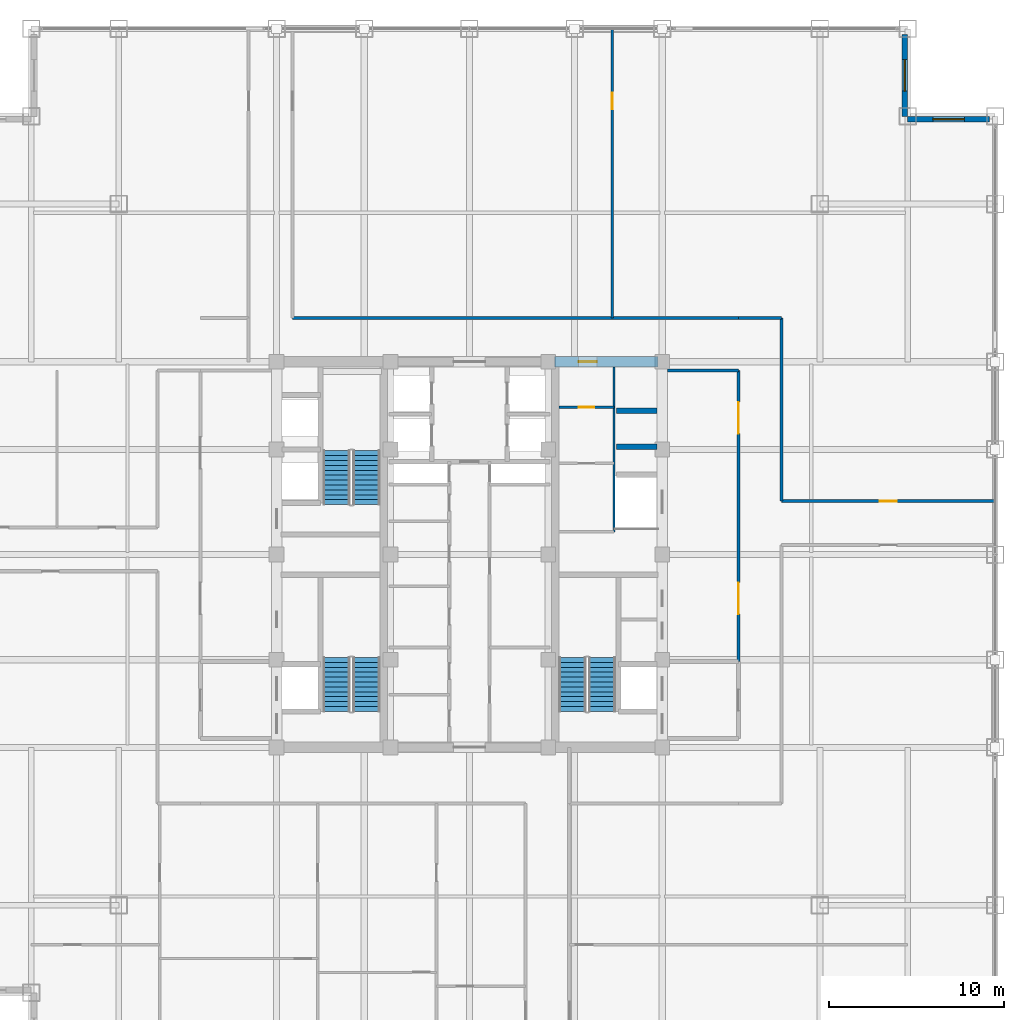
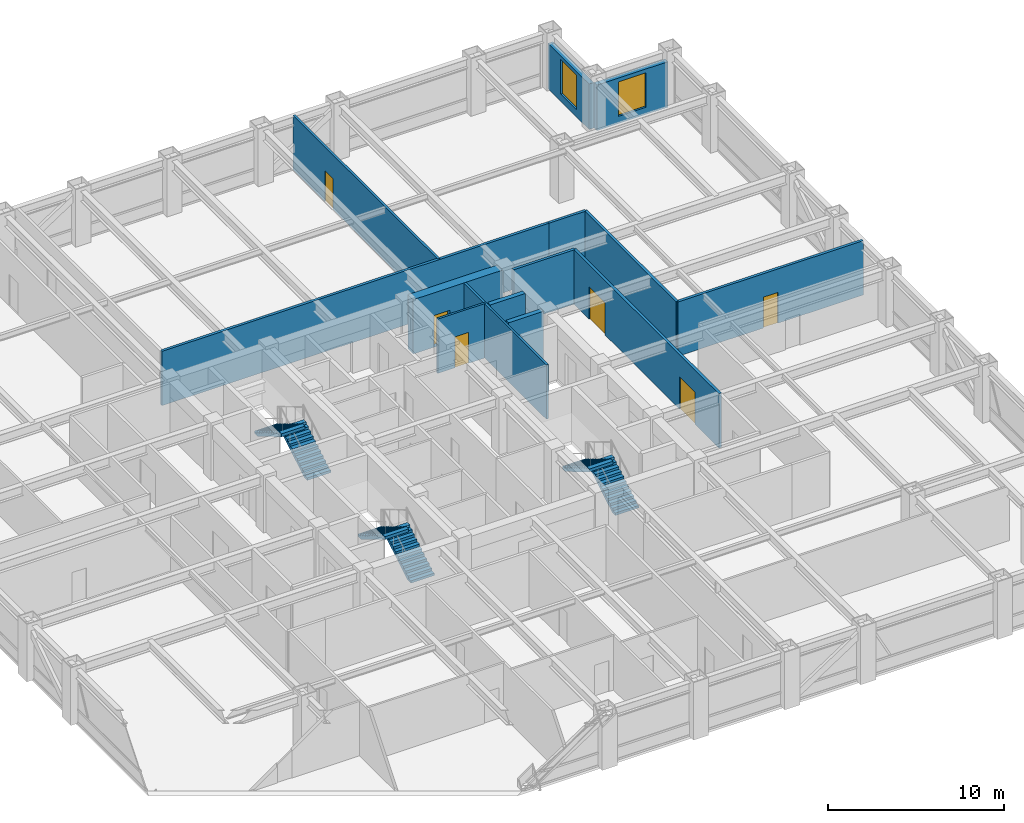
# One storey, part 23 of 24: 14 walls, 6 doors, 6 stair flights, 2 windows, 8 openings, 3 elements without a shape of their own.
"""IFC4 building model written with IfcOpenShell, lengths in metres."""

from ifc_helpers import new_model, si_unit, direction, frame, frame_2d, origin, place, context, subcontext, project, spatial, polyline, rectangle, outline, extrude, source, transform, mapped, material, layer, layer_set, type_object, element, fill, aggregate, save


model = new_model("IFC4")

# Units and contexts
model_context = context("Model", 3, precision=1e-05, world=origin(), true_north=direction((0.0, 1.0)))
body_context = subcontext(model_context, "Body", "Model", "MODEL_VIEW")
ifc_project = project(units=[si_unit("LENGTHUNIT", "METRE"), si_unit("AREAUNIT", "SQUARE_METRE"), si_unit("VOLUMEUNIT", "CUBIC_METRE"), si_unit("PLANEANGLEUNIT", "RADIAN"), si_unit("MASSUNIT", "GRAM", prefix="KILO")], contexts=[model_context])

# Site, building, storey
site_placement = place(None, origin())
site = spatial("IfcSite", under=ifc_project, at=site_placement, CompositionType="ELEMENT")
building_placement = place(site_placement, origin())
building = spatial("IfcBuilding", under=site, at=building_placement, Name="Khorayat Bourse Tower", CompositionType="ELEMENT")
storey_placement = place(building_placement, frame((0.0, 0.0, 211.10009765625)))
storey = spatial("IfcBuildingStorey", under=building, at=storey_placement, Name="L49", CompositionType="ELEMENT", Elevation=211.10009765625)

# Wall, opening, door
ifc_material_1 = material(Name="Concrete C60/75", Category="concrete")
ifc_layer_1 = layer(ifc_material_1, 0.60009765625)
ifc_layer_set_1 = layer_set([ifc_layer_1], Name="Concrete C60/75")
wall_type_1 = type_object("IfcWallType", Name="WAL-CORE-600", PredefinedType="SHEAR", material=ifc_layer_set_1)
shared_shape_1 = source(origin(), body_context, "Body", "SweptSolid", [
    extrude(rectangle(XDim=5.89990234375, YDim=0.60009765625, at=frame_2d((2.949951171875, 0.0))), origin(), (0.0, 0.0, 1.0), 3.77978515625),
])
wall_1_placement = place(storey_placement, frame((4.85009765625, 11.0, 0.0), z_axis=(0.0, 0.0, 1.0), x_axis=(1.0, 0.0, 0.0)))
wall_1 = element("IfcWall", 1, at=wall_1_placement, inside=storey, type_object=wall_type_1, Name="L49 Core Shear Wall PIER-EN", PredefinedType="SHEAR", context=body_context, shape_type="MappedRepresentation", body=[
    mapped(shared_shape_1, transform((0.0, 0.0, 0.0), scale=1.0)),
])
shared_shape_2 = source(origin(), body_context, "Body", "SweptSolid", [
    extrude(rectangle(XDim=1.050048828125, YDim=2.199951171875, at=frame_2d((0.52490234375, 1.10009765625))), frame((0.0, 0.31005859375, 0.0), z_axis=(0.0, -1.0, 0.0), x_axis=(1.0, 0.0, 0.0)), (0.0, 0.0, 1.0), 0.6201171875),
])
opening_1_placement = place(wall_1_placement, frame((1.375, 0.0, 0.0)))
opening_1 = element("IfcOpeningElement", 2, at=opening_1_placement, cuts=wall_1, Name="Opening DI-04", PredefinedType="OPENING", context=body_context, shape_type="MappedRepresentation", body=[
    mapped(shared_shape_2, transform((0.0, 0.0, 0.0), scale=1.0)),
])
ifc_material_2 = material(Name="Fire-rated oak veneer suite entrance door")
door_type_1 = type_object("IfcDoorType", Name="DR-INT-SUITE-1050", OperationType="NOTDEFINED", PredefinedType="DOOR", material=ifc_material_2)
shared_shape_3 = source(origin(), body_context, "Body", "SweptSolid", [
    extrude(rectangle(XDim=1.050048828125, YDim=2.199951171875, at=frame_2d((0.52490234375, 1.10009765625))), frame((0.0, 0.02490234375, 0.0), z_axis=(0.0, -1.0, 0.0), x_axis=(1.0, 0.0, 0.0)), (0.0, 0.0, 1.0), 0.050048828125),
])
door_1_placement = place(opening_1_placement, origin())
door_1 = element("IfcDoor", 3, at=door_1_placement, inside=storey, type_object=door_type_1, Name="L49 Core Washroom Lobby Door", OperationType="SINGLE_SWING_LEFT", OverallHeight=2.199951171875, OverallWidth=1.050048828125, PredefinedType="DOOR", context=body_context, shape_type="MappedRepresentation", body=[
    mapped(shared_shape_3, transform((0.0, 0.0, 0.0), scale=1.0)),
])
fill(opening_1, door_1)

# Wall, opening, window
ifc_material_3 = material(Name="Precast concrete C45/55", Category="concrete")
ifc_layer_2 = layer(ifc_material_3, 0.320068359375)
ifc_layer_set_2 = layer_set([ifc_layer_2], Name="Precast concrete C45/55")
wall_type_2 = type_object("IfcWallType", Name="WAL-EXT-STONE-320", PredefinedType="STANDARD", material=ifc_layer_set_2)
shared_shape_4 = source(origin(), body_context, "Body", "SweptSolid", [
    extrude(rectangle(XDim=4.679931640625, YDim=0.320068359375, at=frame_2d((2.33984375, 0.0))), origin(), (0.0, 0.0, 1.0), 3.163818359375),
])
wall_2_placement = place(storey_placement, frame((25.0, 24.840087890625, 0.0), z_axis=(0.0, 0.0, 1.0), x_axis=(1.0, 0.0, 0.0)))
wall_2 = element("IfcWall", 4, at=wall_2_placement, inside=storey, type_object=wall_type_2, Name="L49 Re-Entrant Notch Limestone Wall NE-H", PredefinedType="STANDARD", context=body_context, shape_type="MappedRepresentation", body=[
    mapped(shared_shape_4, transform((0.0, 0.0, 0.0), scale=1.0)),
])
shared_shape_5 = source(origin(), body_context, "Body", "SweptSolid", [
    extrude(rectangle(XDim=1.800048828125, YDim=2.39990234375, at=frame_2d((0.89990234375, 1.199951171875))), frame((0.0, 0.169921875, 0.0), z_axis=(0.0, -1.0, 0.0), x_axis=(1.0, 0.0, 0.0)), (0.0, 0.0, 1.0), 0.340087890625),
])
opening_2_placement = place(wall_2_placement, frame((1.43994140625, 0.0, 0.5)))
opening_2 = element("IfcOpeningElement", 5, at=opening_2_placement, cuts=wall_2, Name="Opening WN-04", PredefinedType="OPENING", context=body_context, shape_type="MappedRepresentation", body=[
    mapped(shared_shape_5, transform((0.0, 0.0, 0.0), scale=1.0)),
])
ifc_material_4 = material(Name="Low-E acoustic laminated double glazing", Category="glass")
window_type = type_object("IfcWindowType", Name="WIN-NOTCH-1800x2400", PartitioningType="SINGLE_PANEL", PredefinedType="WINDOW", material=ifc_material_4)
shared_shape_6 = source(origin(), body_context, "Body", "SweptSolid", [
    extrude(rectangle(XDim=1.800048828125, YDim=2.39990234375, at=frame_2d((0.89990234375, 1.199951171875))), frame((0.0, 0.030029296875, 0.0), z_axis=(0.0, -1.0, 0.0), x_axis=(1.0, 0.0, 0.0)), (0.0, 0.0, 1.0), 0.06005859375),
])
window_1_placement = place(opening_2_placement, origin())
window_1 = element("IfcWindow", 6, at=window_1_placement, inside=storey, type_object=window_type, Name="L49 Facade Window 1", OverallHeight=2.39990234375, OverallWidth=1.800048828125, PartitioningType="SINGLE_PANEL", PredefinedType="WINDOW", context=body_context, shape_type="MappedRepresentation", body=[
    mapped(shared_shape_6, transform((0.0, 0.0, 0.0), scale=1.0)),
])
fill(opening_2, window_1)

wall_3_placement = place(storey_placement, frame((24.840087890625, 25.0, 0.0), z_axis=(0.0, 0.0, 1.0), x_axis=(0.0, 1.0, 0.0)))
wall_3 = element("IfcWall", 7, at=wall_3_placement, inside=storey, type_object=wall_type_2, Name="L49 Re-Entrant Notch Limestone Wall NE-V", PredefinedType="STANDARD", context=body_context, shape_type="MappedRepresentation", body=[
    mapped(shared_shape_4, transform((0.0, 0.0, 0.0), scale=1.0)),
])
opening_3_placement = place(wall_3_placement, frame((1.43994140625, 0.0, 0.5)))
opening_3 = element("IfcOpeningElement", 8, at=opening_3_placement, cuts=wall_3, Name="Opening WN-04", PredefinedType="OPENING", context=body_context, shape_type="MappedRepresentation", body=[
    mapped(shared_shape_5, transform((0.0, 0.0, 0.0), scale=1.0)),
])
window_2_placement = place(opening_3_placement, origin())
window_2 = element("IfcWindow", 9, at=window_2_placement, inside=storey, type_object=window_type, Name="L49 Facade Window 1", OverallHeight=2.39990234375, OverallWidth=1.800048828125, PartitioningType="SINGLE_PANEL", PredefinedType="WINDOW", context=body_context, shape_type="MappedRepresentation", body=[
    mapped(shared_shape_6, transform((0.0, 0.0, 0.0), scale=1.0)),
])
fill(opening_3, window_2)

# Walls
ifc_material_5 = material(Name="Concrete C50/60", Category="concrete")
ifc_layer_3 = layer(ifc_material_5, 0.300048828125)
ifc_layer_set_3 = layer_set([ifc_layer_3], Name="Concrete C50/60")
wall_type_3 = type_object("IfcWallType", Name="WAL-SHAFT-300", PredefinedType="SHEAR", material=ifc_layer_set_3)
shared_shape_7 = source(origin(), body_context, "Body", "SweptSolid", [
    extrude(rectangle(XDim=2.300048828125, YDim=0.300048828125, at=frame_2d((1.14990234375, 0.0))), origin(), (0.0, 0.0, 1.0), 3.77978515625),
])
for number, where, z_axis, x_axis, name in (
    (10, (8.39990234375, 6.14990234375, 0.0), (0.0, 0.0, 1.0), (1.0, 0.0, 0.0), "L49 Partition WAL-L49-EPIER-H3S"),
    (11, (8.39990234375, 8.199951171875, 0.0), (0.0, 0.0, 1.0), (1.0, 0.0, 0.0), "L49 Partition WAL-L49-EPIER-H34"),
):
    element("IfcWall", number, at=place(storey_placement, frame(where, z_axis=z_axis, x_axis=x_axis)), inside=storey, type_object=wall_type_3, Name=name, PredefinedType="SHEAR", context=body_context, shape_type="MappedRepresentation", body=[
        mapped(shared_shape_7, transform((0.0, 0.0, 0.0), scale=1.0)),
    ])
ifc_material_6 = material(Name="Moisture-resistant masonry partition", Category="masonry")
ifc_layer_4 = layer(ifc_material_6, 0.139892578125)
ifc_layer_set_4 = layer_set([ifc_layer_4], Name="Moisture-resistant masonry partition")
wall_type_4 = type_object("IfcWallType", Name="WAL-PART-WET-140", PredefinedType="PARTITIONING", material=ifc_layer_set_4)
shared_shape_8 = source(origin(), body_context, "Body", "SweptSolid", [
    extrude(rectangle(XDim=9.39990234375, YDim=0.139892578125, at=frame_2d((4.699951171875, 0.0))), origin(), (0.0, 0.0, 1.0), 3.77978515625),
])
wall_4_placement = place(storey_placement, frame((8.25, 1.300048828125, 0.0), z_axis=(0.0, 0.0, 1.0), x_axis=(0.0, 1.0, 0.0)))
element("IfcWall", 12, at=wall_4_placement, inside=storey, type_object=wall_type_4, Name="L49 Partition WAL-L49-ECORE-E", PredefinedType="PARTITIONING", context=body_context, shape_type="MappedRepresentation", body=[
    mapped(shared_shape_8, transform((0.0, 0.0, 0.0), scale=1.0)),
])

# Wall, opening, door
shared_shape_9 = source(origin(), body_context, "Body", "SweptSolid", [
    extrude(rectangle(XDim=3.14990234375, YDim=0.139892578125, at=frame_2d((1.574951171875, 0.0))), origin(), (0.0, 0.0, 1.0), 3.77978515625),
])
wall_5_placement = place(storey_placement, frame((5.10009765625, 8.39990234375, 0.0), z_axis=(0.0, 0.0, 1.0), x_axis=(1.0, 0.0, 0.0)))
wall_5 = element("IfcWall", 13, at=wall_5_placement, inside=storey, type_object=wall_type_4, Name="L49 Partition WAL-L49-ECW-TOP", PredefinedType="PARTITIONING", context=body_context, shape_type="MappedRepresentation", body=[
    mapped(shared_shape_9, transform((0.0, 0.0, 0.0), scale=1.0)),
])
shared_shape_10 = source(origin(), body_context, "Body", "SweptSolid", [
    extrude(rectangle(XDim=0.89990234375, YDim=2.14990234375, at=frame_2d((0.449951171875, 1.074951171875))), frame((0.0, 0.079833984375, 0.0), z_axis=(0.0, -1.0, 0.0), x_axis=(1.0, 0.0, 0.0)), (0.0, 0.0, 1.0), 0.159912109375),
])
opening_4_placement = place(wall_5_placement, frame((1.1298828125, 0.0, 0.0)))
opening_4 = element("IfcOpeningElement", 14, at=opening_4_placement, cuts=wall_5, Name="Opening DI-06", PredefinedType="OPENING", context=body_context, shape_type="MappedRepresentation", body=[
    mapped(shared_shape_10, transform((0.0, 0.0, 0.0), scale=1.0)),
])
ifc_material_7 = material(Name="Moisture-resistant laminate washroom door")
door_type_2 = type_object("IfcDoorType", Name="DR-INT-WC-900", OperationType="NOTDEFINED", PredefinedType="DOOR", material=ifc_material_7)
shared_shape_11 = source(origin(), body_context, "Body", "SweptSolid", [
    extrude(rectangle(XDim=0.89990234375, YDim=2.14990234375, at=frame_2d((0.449951171875, 1.074951171875))), frame((0.0, 0.02490234375, 0.0), z_axis=(0.0, -1.0, 0.0), x_axis=(1.0, 0.0, 0.0)), (0.0, 0.0, 1.0), 0.050048828125),
])
door_2_placement = place(opening_4_placement, origin())
door_2 = element("IfcDoor", 15, at=door_2_placement, inside=storey, type_object=door_type_2, Name="L49 Accessible WC Door", OperationType="SINGLE_SWING_LEFT", OverallHeight=2.14990234375, OverallWidth=0.89990234375, PredefinedType="DOOR", context=body_context, shape_type="MappedRepresentation", body=[
    mapped(shared_shape_11, transform((0.0, 0.0, 0.0), scale=1.0)),
])
fill(opening_4, door_2)

# Wall
ifc_material_8 = material(Name="Gypsum plasterboard acoustic stud wall")
ifc_layer_5 = layer(ifc_material_8, 0.179931640625)
ifc_layer_set_5 = layer_set([ifc_layer_5], Name="Gypsum plasterboard acoustic stud wall")
wall_type_5 = type_object("IfcWallType", Name="WAL-PART-CORR-180", PredefinedType="PARTITIONING", material=ifc_layer_set_5)
shared_shape_12 = source(origin(), body_context, "Body", "SweptSolid", [
    extrude(rectangle(XDim=4.050048828125, YDim=0.179931640625, at=frame_2d((2.02490234375, 0.0))), origin(), (0.0, 0.0, 1.0), 3.77978515625),
])
wall_6_placement = place(storey_placement, frame((11.300048828125, 10.5, 0.0), z_axis=(0.0, 0.0, 1.0), x_axis=(1.0, 0.0, 0.0)))
element("IfcWall", 16, at=wall_6_placement, inside=storey, type_object=wall_type_5, Name="L49 Partition WAL-L49-ELOB-N", PredefinedType="PARTITIONING", context=body_context, shape_type="MappedRepresentation", body=[
    mapped(shared_shape_12, transform((0.0, 0.0, 0.0), scale=1.0)),
])

# Wall, openings, doors
shared_shape_13 = source(origin(), body_context, "Body", "SweptSolid", [
    extrude(rectangle(XDim=16.60009765625, YDim=0.179931640625, at=frame_2d((8.300048828125, 0.0))), origin(), (0.0, 0.0, 1.0), 3.77978515625),
])
wall_7_placement = place(storey_placement, frame((15.35009765625, -6.10009765625, 0.0), z_axis=(0.0, 0.0, 1.0), x_axis=(0.0, 1.0, 0.0)))
wall_7 = element("IfcWall", 17, at=wall_7_placement, inside=storey, type_object=wall_type_5, Name="L49 Partition WAL-L49-ELOB-E", PredefinedType="PARTITIONING", context=body_context, shape_type="MappedRepresentation", body=[
    mapped(shared_shape_13, transform((0.0, 0.0, 0.0), scale=1.0)),
])
shared_shape_14 = source(origin(), body_context, "Body", "SweptSolid", [
    extrude(rectangle(XDim=1.800048828125, YDim=2.25, at=frame_2d((0.89990234375, 1.125))), frame((0.0, 0.099853515625, 0.0), z_axis=(0.0, -1.0, 0.0), x_axis=(1.0, 0.0, 0.0)), (0.0, 0.0, 1.0), 0.199951171875),
])
opening_5_placement = place(wall_7_placement, frame((2.699951171875, 0.0, 0.0)))
opening_5 = element("IfcOpeningElement", 18, at=opening_5_placement, cuts=wall_7, Name="Opening DI-03", PredefinedType="OPENING", context=body_context, shape_type="MappedRepresentation", body=[
    mapped(shared_shape_14, transform((0.0, 0.0, 0.0), scale=1.0)),
])
opening_6_placement = place(wall_7_placement, frame((13.0, 0.0, 0.0)))
opening_6 = element("IfcOpeningElement", 19, at=opening_6_placement, cuts=wall_7, Name="Opening DI-03", PredefinedType="OPENING", context=body_context, shape_type="MappedRepresentation", body=[
    mapped(shared_shape_14, transform((0.0, 0.0, 0.0), scale=1.0)),
])
ifc_material_9 = material(Name="Fire-rated hardwood vision-panel double leaf", Category="wood")
door_type_3 = type_object("IfcDoorType", Name="DR-INT-CORR-1800", OperationType="NOTDEFINED", PredefinedType="DOOR", material=ifc_material_9)
shared_shape_15 = source(origin(), body_context, "Body", "SweptSolid", [
    extrude(rectangle(XDim=1.800048828125, YDim=2.25, at=frame_2d((0.89990234375, 1.125))), frame((0.0, 0.02490234375, 0.0), z_axis=(0.0, -1.0, 0.0), x_axis=(1.0, 0.0, 0.0)), (0.0, 0.0, 1.0), 0.050048828125),
])
door_3_placement = place(opening_5_placement, origin())
door_3 = element("IfcDoor", 20, at=door_3_placement, inside=storey, type_object=door_type_3, Name="L49 East Core Lobby South Door", OperationType="SINGLE_SWING_RIGHT", OverallHeight=2.25, OverallWidth=1.800048828125, PredefinedType="DOOR", context=body_context, shape_type="MappedRepresentation", body=[
    mapped(shared_shape_15, transform((0.0, 0.0, 0.0), scale=1.0)),
])
fill(opening_5, door_3)
door_4_placement = place(opening_6_placement, origin())
door_4 = element("IfcDoor", 21, at=door_4_placement, inside=storey, type_object=door_type_3, Name="L49 East Core Lobby North Door", OperationType="SINGLE_SWING_LEFT", OverallHeight=2.25, OverallWidth=1.800048828125, PredefinedType="DOOR", context=body_context, shape_type="MappedRepresentation", body=[
    mapped(shared_shape_15, transform((0.0, 0.0, 0.0), scale=1.0)),
])
fill(opening_6, door_4)

# Wall
shared_shape_16 = source(origin(), body_context, "Body", "SweptSolid", [
    extrude(rectangle(XDim=2.449951171875, YDim=0.179931640625, at=frame_2d((1.22509765625, 0.0))), origin(), (0.0, 0.0, 1.0), 3.77978515625),
])
wall_8_placement = place(storey_placement, frame((15.35009765625, 13.5, 0.0), z_axis=(0.0, 0.0, 1.0), x_axis=(1.0, 0.0, 0.0)))
element("IfcWall", 22, at=wall_8_placement, inside=storey, type_object=wall_type_5, Name="L49 Partition WAL-L49-C2-EN", PredefinedType="PARTITIONING", context=body_context, shape_type="MappedRepresentation", body=[
    mapped(shared_shape_16, transform((0.0, 0.0, 0.0), scale=1.0)),
])

# Wall, opening, door
ifc_material_10 = material(Name="Gypsum plasterboard twin-frame partition")
ifc_layer_6 = layer(ifc_material_10, 0.14990234375)
ifc_layer_set_6 = layer_set([ifc_layer_6], Name="Gypsum plasterboard twin-frame partition")
wall_type_6 = type_object("IfcWallType", Name="WAL-PART-SUITE-150", PredefinedType="PARTITIONING", material=ifc_layer_set_6)
shared_shape_17 = source(origin(), body_context, "Body", "SweptSolid", [
    extrude(rectangle(XDim=16.5, YDim=0.14990234375, at=frame_2d((8.25, 0.0))), origin(), (0.0, 0.0, 1.0), 3.77978515625),
])
wall_9_placement = place(storey_placement, frame((8.152099609375, 13.5, 0.0), z_axis=(0.0, 0.0, 1.0), x_axis=(0.0, 1.0, 0.0)))
wall_9 = element("IfcWall", 23, at=wall_9_placement, inside=storey, type_object=wall_type_6, Name="L49 Partition WAL-L49-QNEDV-1", PredefinedType="PARTITIONING", context=body_context, shape_type="MappedRepresentation", body=[
    mapped(shared_shape_17, transform((0.0, 0.0, 0.0), scale=1.0)),
])
shared_shape_18 = source(origin(), body_context, "Body", "SweptSolid", [
    extrude(rectangle(XDim=0.949951171875, YDim=2.14990234375, at=frame_2d((0.47509765625, 1.074951171875))), frame((0.0, 0.0849609375, 0.0), z_axis=(0.0, -1.0, 0.0), x_axis=(1.0, 0.0, 0.0)), (0.0, 0.0, 1.0), 0.169921875),
])
opening_7_placement = place(wall_9_placement, frame((11.89990234375, 0.0, 0.0)))
opening_7 = element("IfcOpeningElement", 24, at=opening_7_placement, cuts=wall_9, Name="Opening DI-05", PredefinedType="OPENING", context=body_context, shape_type="MappedRepresentation", body=[
    mapped(shared_shape_18, transform((0.0, 0.0, 0.0), scale=1.0)),
])
ifc_material_11 = material(Name="Acoustic oak veneer office door")
door_type_4 = type_object("IfcDoorType", Name="DR-INT-OFFICE-950", OperationType="NOTDEFINED", PredefinedType="DOOR", material=ifc_material_11)
shared_shape_19 = source(origin(), body_context, "Body", "SweptSolid", [
    extrude(rectangle(XDim=0.949951171875, YDim=2.14990234375, at=frame_2d((0.47509765625, 1.074951171875))), frame((0.0, 0.02490234375, 0.0), z_axis=(0.0, -1.0, 0.0), x_axis=(1.0, 0.0, 0.0)), (0.0, 0.0, 1.0), 0.050048828125),
])
door_5_placement = place(opening_7_placement, origin())
door_5 = element("IfcDoor", 25, at=door_5_placement, inside=storey, type_object=door_type_4, Name="L49 North-East Suite Link 1", OperationType="SINGLE_SWING_RIGHT", OverallHeight=2.14990234375, OverallWidth=0.949951171875, PredefinedType="DOOR", context=body_context, shape_type="MappedRepresentation", body=[
    mapped(shared_shape_19, transform((0.0, 0.0, 0.0), scale=1.0)),
])
fill(opening_7, door_5)

shared_shape_20 = source(origin(), body_context, "Body", "SweptSolid", [
    extrude(rectangle(XDim=12.199951171875, YDim=0.179931640625, at=frame_2d((6.10009765625, 0.0))), origin(), (0.0, 0.0, 1.0), 3.77978515625),
])
wall_10_placement = place(storey_placement, frame((17.800048828125, 3.050048828125, 0.0), z_axis=(0.0, 0.0, 1.0), x_axis=(1.0, 0.0, 0.0)))
wall_10 = element("IfcWall", 26, at=wall_10_placement, inside=storey, type_object=wall_type_5, Name="L49 Partition WAL-L49-EN-SPK", PredefinedType="PARTITIONING", context=body_context, shape_type="MappedRepresentation", body=[
    mapped(shared_shape_20, transform((0.0, 0.0, 0.0), scale=1.0)),
])
shared_shape_21 = source(origin(), body_context, "Body", "SweptSolid", [
    extrude(rectangle(XDim=0.949951171875, YDim=2.14990234375, at=frame_2d((0.47509765625, 1.074951171875))), frame((0.0, 0.099853515625, 0.0), z_axis=(0.0, -1.0, 0.0), x_axis=(1.0, 0.0, 0.0)), (0.0, 0.0, 1.0), 0.199951171875),
])
opening_8_placement = place(wall_10_placement, frame((5.625, 0.0, 0.0)))
opening_8 = element("IfcOpeningElement", 27, at=opening_8_placement, cuts=wall_10, Name="Opening DI-05", PredefinedType="OPENING", context=body_context, shape_type="MappedRepresentation", body=[
    mapped(shared_shape_21, transform((0.0, 0.0, 0.0), scale=1.0)),
])
door_6_placement = place(opening_8_placement, origin())
door_6 = element("IfcDoor", 28, at=door_6_placement, inside=storey, type_object=door_type_4, Name="L49 Market Reference Library EN Door", OperationType="SINGLE_SWING_LEFT", OverallHeight=2.14990234375, OverallWidth=0.949951171875, PredefinedType="DOOR", context=body_context, shape_type="MappedRepresentation", body=[
    mapped(shared_shape_19, transform((0.0, 0.0, 0.0), scale=1.0)),
])
fill(opening_8, door_6)

# Walls
shared_shape_22 = source(origin(), body_context, "Body", "SweptSolid", [
    extrude(rectangle(XDim=25.4501953125, YDim=0.179931640625, at=frame_2d((12.72509765625, 0.0))), origin(), (0.0, 0.0, 1.0), 3.77978515625),
])
wall_11_placement = place(storey_placement, frame((-10.10009765625, 13.5, 0.0), z_axis=(0.0, 0.0, 1.0), x_axis=(1.0, 0.0, 0.0)))
element("IfcWall", 29, at=wall_11_placement, inside=storey, type_object=wall_type_5, Name="L49 Partition WAL-L49-QNE-HC", PredefinedType="PARTITIONING", context=body_context, shape_type="MappedRepresentation", body=[
    mapped(shared_shape_22, transform((0.0, 0.0, 0.0), scale=1.0)),
])
shared_shape_23 = source(origin(), body_context, "Body", "SweptSolid", [
    extrude(rectangle(XDim=10.449951171875, YDim=0.179931640625, at=frame_2d((5.22509765625, 0.0))), origin(), (0.0, 0.0, 1.0), 3.77978515625),
])
wall_12_placement = place(storey_placement, frame((17.800048828125, 3.050048828125, 0.0), z_axis=(0.0, 0.0, 1.0), x_axis=(0.0, 1.0, 0.0)))
element("IfcWall", 30, at=wall_12_placement, inside=storey, type_object=wall_type_5, Name="L49 Partition WAL-L49-EN-IN", PredefinedType="PARTITIONING", context=body_context, shape_type="MappedRepresentation", body=[
    mapped(shared_shape_23, transform((0.0, 0.0, 0.0), scale=1.0)),
])

# Stair, stair flights
ifc_material_12 = material(Name="Concrete C40/50", Category="concrete")
stair_type = type_object("IfcStairType", Name="STR-CORE-1550", PredefinedType="HALF_TURN_STAIR", material=ifc_material_12)
stair_1_placement = place(storey_placement, origin())
stair_1 = element("IfcStair", 31, at=stair_1_placement, inside=storey, type_object=stair_type, Name="L49 Exit Stair ST-1", PredefinedType="HALF_TURN_STAIR")
stair_flight_type = type_object("IfcStairFlightType", Name="FLT-CORE-1550", PredefinedType="STRAIGHT", material=ifc_material_12)
shared_shape_24 = source(origin(), body_context, "Body", "SweptSolid", [
    extrude(outline(polyline([(0.0, 0.0), (0.0, 0.166748046875), (0.280029296875, 0.166748046875), (0.280029296875, 0.333251953125), (0.56005859375, 0.333251953125), (0.56005859375, 0.5), (0.840087890625, 0.5), (0.840087890625, 0.666748046875), (1.1201171875, 0.666748046875), (1.1201171875, 0.833251953125), (1.39990234375, 0.833251953125), (1.39990234375, 1.0), (1.679931640625, 1.0), (1.679931640625, 1.166748046875), (1.9599609375, 1.166748046875), (1.9599609375, 1.333251953125), (2.239990234375, 1.333251953125), (2.239990234375, 1.5), (2.52001953125, 1.5), (2.52001953125, 1.666748046875), (2.800048828125, 1.666748046875), (2.800048828125, 1.833251953125), (3.080078125, 1.833251953125), (3.080078125, 2.0), (3.080078125, 1.6240234375), (0.351806640625, 0.0), (0.0, 0.0)])), frame((0.0, 0.77490234375, 0.0), z_axis=(0.0, -1.0, 0.0), x_axis=(1.0, 0.0, 0.0)), (0.0, 0.0, 1.0), 1.550048828125),
])
stair_flight_1_placement = place(storey_placement, frame((-5.875, -8.949951171875, 0.0), z_axis=(0.0, 0.0, 1.0), x_axis=(0.0, 1.0, 0.0)))
stair_flight_1 = element("IfcStairFlight", 32, at=stair_flight_1_placement, type_object=stair_flight_type, Name="ST-1 flight 1", NumberOfRisers=12, NumberOfTreads=11, PredefinedType="STRAIGHT", RiserHeight=0.166666667, TreadLength=0.28, context=body_context, shape_type="MappedRepresentation", body=[
    mapped(shared_shape_24, transform((0.0, 0.0, 0.0), scale=1.0)),
])
stair_flight_2_placement = place(storey_placement, frame((-7.574951171875, -5.8701171875, 2.0), z_axis=(0.0, 0.0, 1.0), x_axis=(0.0, -1.0, 0.0)))
stair_flight_2 = element("IfcStairFlight", 33, at=stair_flight_2_placement, type_object=stair_flight_type, Name="ST-1 flight 2", NumberOfRisers=12, NumberOfTreads=11, PredefinedType="STRAIGHT", RiserHeight=0.166666667, TreadLength=0.28, context=body_context, shape_type="MappedRepresentation", body=[
    mapped(shared_shape_24, transform((0.0, 0.0, 0.0), scale=1.0)),
])
aggregate(stair_1, [stair_flight_1, stair_flight_2])

stair_2_placement = place(storey_placement, origin())
stair_2 = element("IfcStair", 34, at=stair_2_placement, inside=storey, type_object=stair_type, Name="L49 Exit Stair ST-2", PredefinedType="HALF_TURN_STAIR")
stair_flight_3_placement = place(storey_placement, frame((-5.875, 2.85009765625, 0.0), z_axis=(0.0, 0.0, 1.0), x_axis=(0.0, 1.0, 0.0)))
stair_flight_3 = element("IfcStairFlight", 35, at=stair_flight_3_placement, type_object=stair_flight_type, Name="ST-2 flight 1", NumberOfRisers=12, NumberOfTreads=11, PredefinedType="STRAIGHT", RiserHeight=0.166666667, TreadLength=0.28, context=body_context, shape_type="MappedRepresentation", body=[
    mapped(shared_shape_24, transform((0.0, 0.0, 0.0), scale=1.0)),
])
stair_flight_4_placement = place(storey_placement, frame((-7.574951171875, 5.929931640625, 2.0), z_axis=(0.0, 0.0, 1.0), x_axis=(0.0, -1.0, 0.0)))
stair_flight_4 = element("IfcStairFlight", 36, at=stair_flight_4_placement, type_object=stair_flight_type, Name="ST-2 flight 2", NumberOfRisers=12, NumberOfTreads=11, PredefinedType="STRAIGHT", RiserHeight=0.166666667, TreadLength=0.28, context=body_context, shape_type="MappedRepresentation", body=[
    mapped(shared_shape_24, transform((0.0, 0.0, 0.0), scale=1.0)),
])
aggregate(stair_2, [stair_flight_3, stair_flight_4])

stair_3_placement = place(storey_placement, origin())
stair_3 = element("IfcStair", 37, at=stair_3_placement, inside=storey, type_object=stair_type, Name="L49 Exit Stair ST-3", PredefinedType="HALF_TURN_STAIR")
stair_flight_5_placement = place(storey_placement, frame((7.574951171875, -8.949951171875, 0.0), z_axis=(0.0, 0.0, 1.0), x_axis=(0.0, 1.0, 0.0)))
stair_flight_5 = element("IfcStairFlight", 38, at=stair_flight_5_placement, type_object=stair_flight_type, Name="ST-3 flight 1", NumberOfRisers=12, NumberOfTreads=11, PredefinedType="STRAIGHT", RiserHeight=0.166666667, TreadLength=0.28, context=body_context, shape_type="MappedRepresentation", body=[
    mapped(shared_shape_24, transform((0.0, 0.0, 0.0), scale=1.0)),
])
stair_flight_6_placement = place(storey_placement, frame((5.875, -5.8701171875, 2.0), z_axis=(0.0, 0.0, 1.0), x_axis=(0.0, -1.0, 0.0)))
stair_flight_6 = element("IfcStairFlight", 39, at=stair_flight_6_placement, type_object=stair_flight_type, Name="ST-3 flight 2", NumberOfRisers=12, NumberOfTreads=11, PredefinedType="STRAIGHT", RiserHeight=0.166666667, TreadLength=0.28, context=body_context, shape_type="MappedRepresentation", body=[
    mapped(shared_shape_24, transform((0.0, 0.0, 0.0), scale=1.0)),
])
aggregate(stair_3, [stair_flight_5, stair_flight_6])

save(model, "model.ifc")
